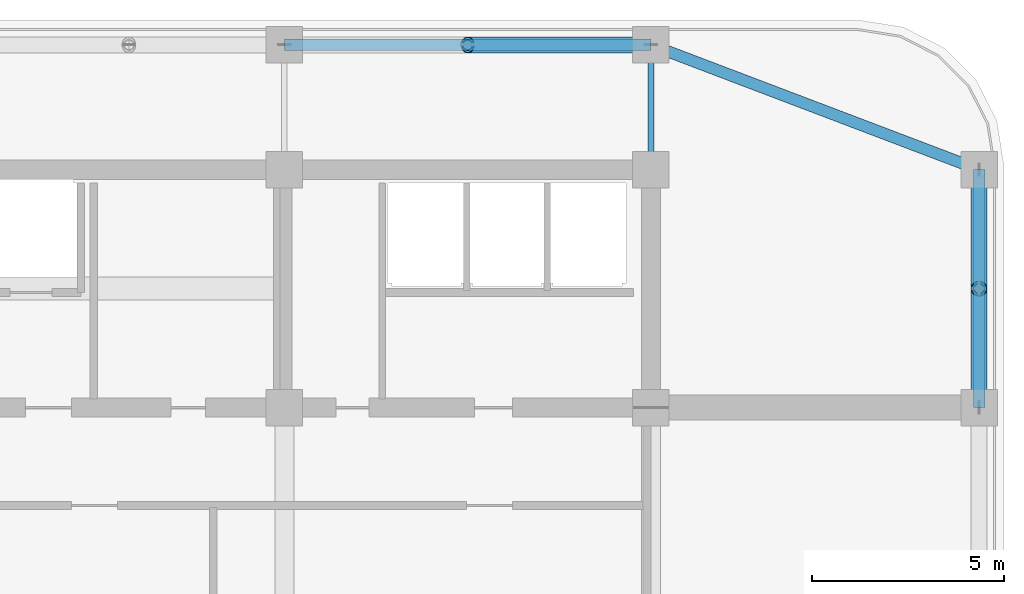
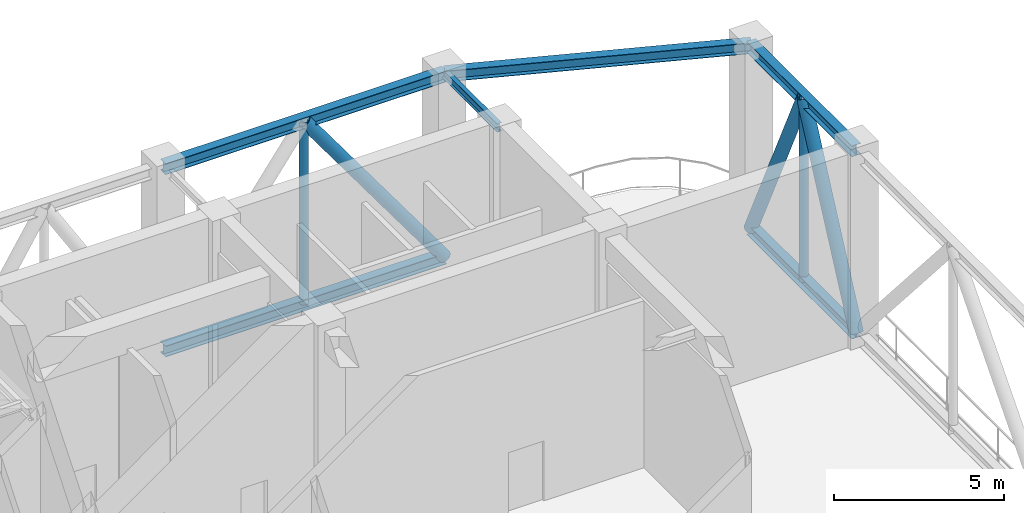
# One storey, part 8 of 20: 6 beams, 5 members.
"""IFC4 building model written with IfcOpenShell, lengths in metres."""

from ifc_helpers import new_model, si_unit, direction, frame, origin, origin_2d, place, context, subcontext, project, spatial, hollow_circle, i_section, extrude, material, material_profile, profile_set, type_object, element, save


model = new_model("IFC4")

# Units and contexts
model_context = context("Model", 3, precision=1e-05, world=origin(), true_north=direction((0.0, 1.0)))
body_context = subcontext(model_context, "Body", "Model", "MODEL_VIEW")
ifc_project = project(units=[si_unit("LENGTHUNIT", "METRE"), si_unit("AREAUNIT", "SQUARE_METRE"), si_unit("VOLUMEUNIT", "CUBIC_METRE"), si_unit("PLANEANGLEUNIT", "RADIAN"), si_unit("MASSUNIT", "GRAM", prefix="KILO")], contexts=[model_context])

# Site, building, storey
site_placement = place(None, origin())
site = spatial("IfcSite", under=ifc_project, at=site_placement, CompositionType="ELEMENT")
building_placement = place(site_placement, origin())
building = spatial("IfcBuilding", under=site, at=building_placement, Name="Svetorya Sky Lyceum", CompositionType="ELEMENT")
storey_placement = place(building_placement, frame((0.0, 0.0, 195.89990234375)))
storey = spatial("IfcBuildingStorey", under=building, at=storey_placement, Name="L49", CompositionType="ELEMENT", Elevation=195.89990234375)

# Beams
ifc_material = material(Name="Steel S355", Category="steel")
ifc_material_profile_1 = material_profile(ifc_material, i_section(OverallWidth=0.14990234375, OverallDepth=0.299072265625, WebThickness=0.006591796875, FlangeThickness=0.010498046875, at=origin_2d()), Name="GOST 30B2")
ifc_profile_set_1 = profile_set([ifc_material_profile_1], Name="Steel S355")
beam_type_1 = type_object("IfcBeamType", Name="BM-STL-30B2", PredefinedType="JOIST", material=ifc_profile_set_1)
beam_1_placement = place(storey_placement, frame((52.800048828125, 45.800048828125, 6.79052734375), z_axis=(0.0, 1.0, 0.0), x_axis=(-1.0, 0.0, 0.0)))
element("IfcBeam", 1, at=beam_1_placement, inside=storey, type_object=beam_type_1, Name="L49 North Bay Floor Girder N4", PredefinedType="JOIST", context=body_context, shape_type="SweptSolid", body=[
    extrude(i_section(OverallWidth=0.14990234375, OverallDepth=0.299072265625, WebThickness=0.006591796875, FlangeThickness=0.010498046875, at=origin_2d()), origin(), (0.0, 0.0, 1.0), 3.25),
])
ifc_material_profile_2 = material_profile(ifc_material, i_section(OverallWidth=0.300048828125, OverallDepth=0.39404296875, WebThickness=0.010986328125, FlangeThickness=0.0166015625, at=origin_2d()), Name="GOST 40Sh2")
ifc_profile_set_2 = profile_set([ifc_material_profile_2], Name="Steel S355")
beam_type_2 = type_object("IfcBeamType", Name="BM-STL-40SH2", PredefinedType="BEAM", material=ifc_profile_set_2)
for number, where, z_axis, x_axis, name in (
    (2, (43.25, 49.050048828125, 0.197021484375), (1.0, 0.0, 0.0), (0.0, 1.0, 0.0), "L49 Belt Truss Bottom Chord N-3"),
    (3, (43.25, 49.050048828125, 6.7431640625), (1.0, 0.0, 0.0), (0.0, 1.0, 0.0), "L49 Belt Truss Top Chord N-3"),
):
    element("IfcBeam", number, at=place(storey_placement, frame(where, z_axis=z_axis, x_axis=x_axis)), inside=storey, type_object=beam_type_2, Name=name, PredefinedType="BEAM", context=body_context, shape_type="SweptSolid", body=[
        extrude(i_section(OverallWidth=0.300048828125, OverallDepth=0.39404296875, WebThickness=0.010986328125, FlangeThickness=0.0166015625, at=origin_2d()), origin(), (0.0, 0.0, 1.0), 9.550048828125),
    ])
for number, where, z_axis, x_axis, name in (
    (4, (61.35009765625, 39.60009765625, 0.197021484375), (0.0, 1.0, 0.0), (-1.0, 0.0, 0.0), "L49 Belt Truss Bottom Chord E-4"),
    (5, (61.35009765625, 39.60009765625, 6.7431640625), (0.0, 1.0, 0.0), (-1.0, 0.0, 0.0), "L49 Belt Truss Top Chord E-4"),
):
    element("IfcBeam", number, at=place(storey_placement, frame(where, z_axis=z_axis, x_axis=x_axis)), inside=storey, type_object=beam_type_2, Name=name, PredefinedType="BEAM", context=body_context, shape_type="SweptSolid", body=[
        extrude(i_section(OverallWidth=0.300048828125, OverallDepth=0.39404296875, WebThickness=0.010986328125, FlangeThickness=0.0166015625, at=origin_2d()), origin(), (0.0, 0.0, 1.0), 6.199951171875),
    ])
beam_2_placement = place(storey_placement, frame((61.35009765625, 45.800048828125, 6.7431640625), z_axis=(-0.934747947367, 0.355311518099, 0.0), x_axis=(-0.355311518099, -0.934747947367, 0.0)))
element("IfcBeam", 6, at=beam_2_placement, inside=storey, type_object=beam_type_2, Name="L49 Belt Truss Corner Tie 3", PredefinedType="BEAM", context=body_context, shape_type="SweptSolid", body=[
    extrude(i_section(OverallWidth=0.300048828125, OverallDepth=0.39404296875, WebThickness=0.010986328125, FlangeThickness=0.0166015625, at=origin_2d()), origin(), (0.0, 0.0, 1.0), 9.14697265625),
])

# Members
ifc_material_profile_3 = material_profile(ifc_material, hollow_circle(Radius=0.212890625, WallThickness=0.01806640625, at=origin_2d()), Name="CHS 426x18")
ifc_profile_set_3 = profile_set([ifc_material_profile_3], Name="Steel S355")
member_type_1 = type_object("IfcMemberType", Name="MB-BRC-CHS426", PredefinedType="BRACE", material=ifc_profile_set_3)
member_1_placement = place(storey_placement, frame((52.800048828125, 49.050048828125, 0.197021484375), z_axis=(-0.589326650905, 0.0, 0.807894856113), x_axis=(0.0, -1.0, 0.0)))
element("IfcMember", 7, at=member_1_placement, inside=storey, type_object=member_type_1, Name="L49 Belt Truss Diagonal N-3B", PredefinedType="BRACE", context=body_context, shape_type="SweptSolid", body=[
    extrude(hollow_circle(Radius=0.212890625, WallThickness=0.01806640625, at=origin_2d()), origin(), (0.0, 0.0, 1.0), 8.102783203125),
])
member_2_placement = place(storey_placement, frame((61.35009765625, 39.60009765625, 0.197021484375), z_axis=(0.0, 0.427979119576, 0.903788621973), x_axis=(-1.0, 0.0, 0.0)))
element("IfcMember", 8, at=member_2_placement, inside=storey, type_object=member_type_1, Name="L49 Belt Truss Diagonal E-4A", PredefinedType="BRACE", context=body_context, shape_type="SweptSolid", body=[
    extrude(hollow_circle(Radius=0.212890625, WallThickness=0.01806640625, at=origin_2d()), origin(), (0.0, 0.0, 1.0), 7.242919921875),
])
member_3_placement = place(storey_placement, frame((61.35009765625, 45.800048828125, 0.197021484375), z_axis=(0.0, -0.428006652086, 0.903775583743), x_axis=(1.0, 0.0, 0.0)))
element("IfcMember", 9, at=member_3_placement, inside=storey, type_object=member_type_1, Name="L49 Belt Truss Diagonal E-4B", PredefinedType="BRACE", context=body_context, shape_type="SweptSolid", body=[
    extrude(hollow_circle(Radius=0.212890625, WallThickness=0.01806640625, at=origin_2d()), origin(), (0.0, 0.0, 1.0), 7.2431640625),
])
ifc_material_profile_4 = material_profile(ifc_material, hollow_circle(Radius=0.136474609375, WallThickness=0.011962890625, at=origin_2d()), Name="CHS 273x12")
ifc_profile_set_4 = profile_set([ifc_material_profile_4], Name="Steel S355")
member_type_2 = type_object("IfcMemberType", Name="MB-STR-CHS273", PredefinedType="STRUT", material=ifc_profile_set_4)
for number, where, z_axis, x_axis, name in (
    (10, (48.02490234375, 49.050048828125, 0.197021484375), (0.0, 0.0, 1.0), (1.0, 0.0, 0.0), "L49 Belt Truss Post N-3"),
    (11, (61.35009765625, 42.699951171875, 0.197021484375), (0.0, 0.0, 1.0), (1.0, 0.0, 0.0), "L49 Belt Truss Post E-4"),
):
    element("IfcMember", number, at=place(storey_placement, frame(where, z_axis=z_axis, x_axis=x_axis)), inside=storey, type_object=member_type_2, Name=name, PredefinedType="STRUT", context=body_context, shape_type="SweptSolid", body=[
        extrude(hollow_circle(Radius=0.136474609375, WallThickness=0.011962890625, at=origin_2d()), origin(), (0.0, 0.0, 1.0), 6.546142578125),
    ])

save(model, "model.ifc")
